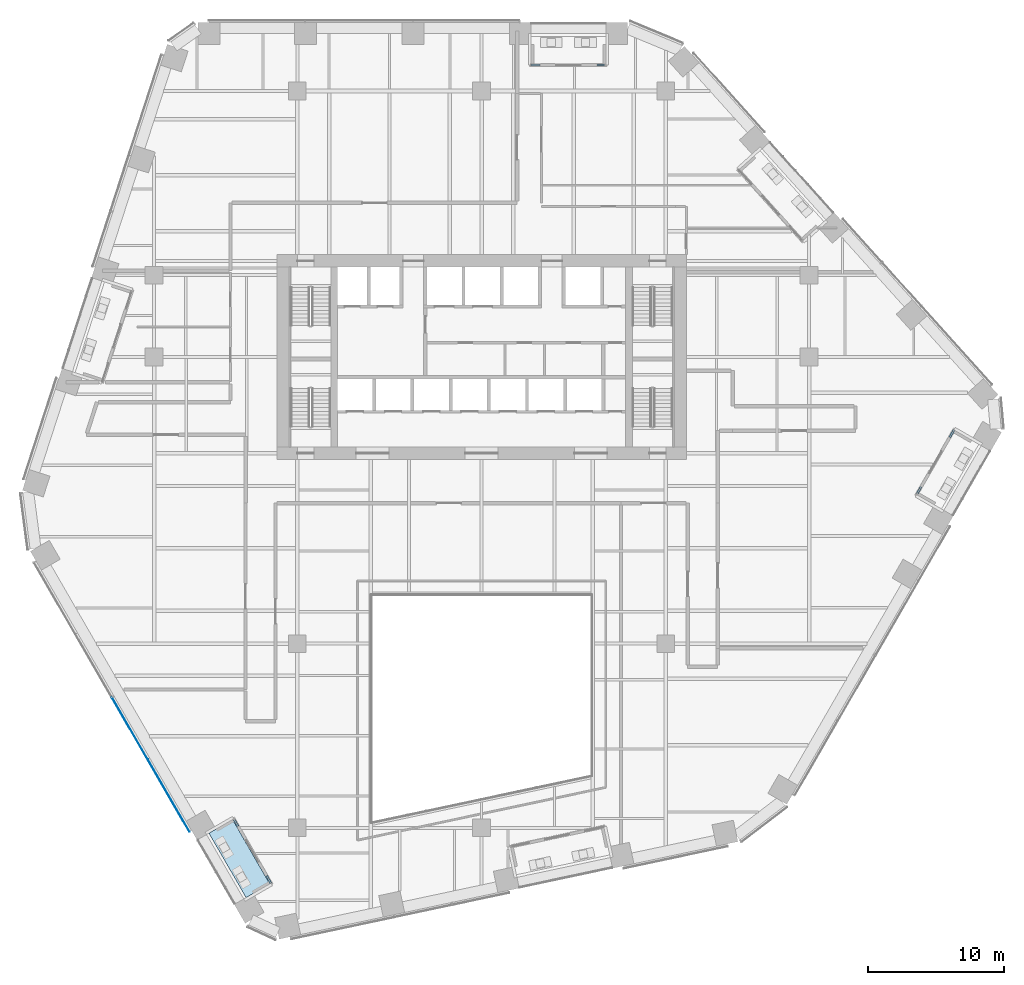
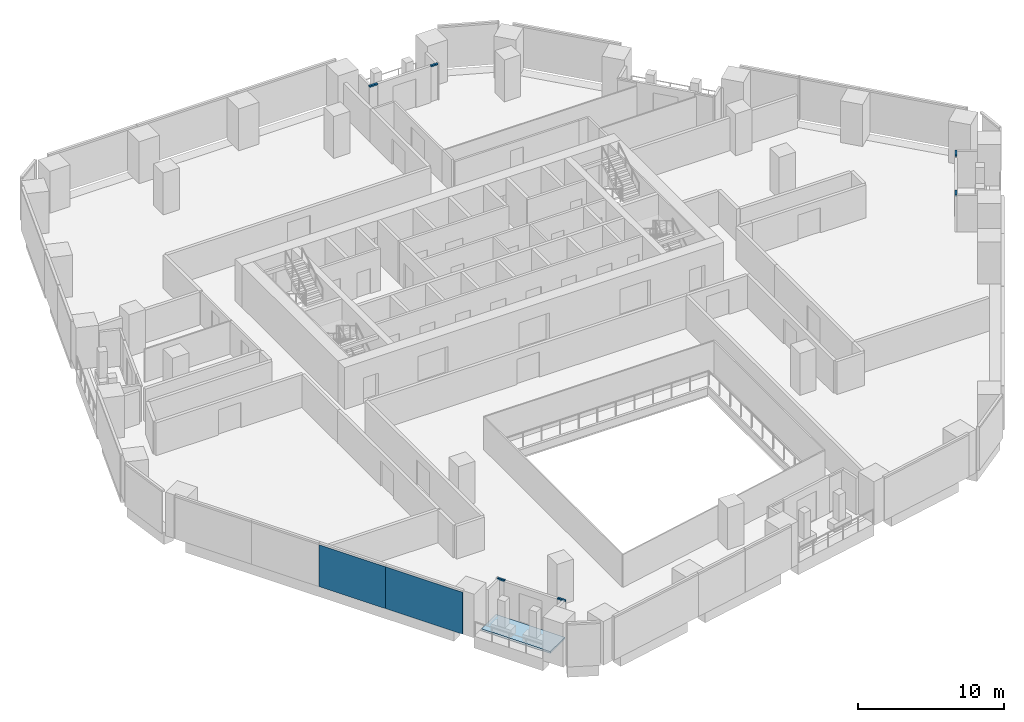
# One storey, part 15 of 28: 6 members, 2 plates, 1 slab, 4 elements without a shape of their own.
"""IFC4 building model written with IfcOpenShell, lengths in metres."""

from ifc_helpers import new_model, si_unit, direction, frame, origin, origin_2d, place, context, subcontext, project, spatial, polyline, rectangle, outline, extrude, material, layer, layer_set, material_profile, profile_set, type_object, element, aggregate, save


model = new_model("IFC4")

# Units and contexts
model_context = context("Model", 3, precision=1e-05, world=origin(), true_north=direction((0.0, 1.0)))
body_context = subcontext(model_context, "Body", "Model", "MODEL_VIEW")
ifc_project = project(units=[si_unit("LENGTHUNIT", "METRE"), si_unit("AREAUNIT", "SQUARE_METRE"), si_unit("VOLUMEUNIT", "CUBIC_METRE"), si_unit("PLANEANGLEUNIT", "RADIAN"), si_unit("MASSUNIT", "GRAM", prefix="KILO")], contexts=[model_context])

# Site, building, storey
site_placement = place(None, origin())
site = spatial("IfcSite", under=ifc_project, at=site_placement, CompositionType="ELEMENT")
building_placement = place(site_placement, origin())
building = spatial("IfcBuilding", under=site, at=building_placement, Name="Isthmus Gate Tower", CompositionType="ELEMENT")
storey_placement = place(building_placement, frame((0.0, 0.0, 84.300048828125)))
storey = spatial("IfcBuildingStorey", under=building, at=storey_placement, Name="L19", CompositionType="ELEMENT", Elevation=84.300048828125)

# Curtain wall, members
ifc_material_1 = material(Name="Aluminium, pale champagne anodised", Category="aluminium")
ifc_layer_1 = layer(ifc_material_1, 0.14990234375)
ifc_layer_set_1 = layer_set([ifc_layer_1], Name="CW-6 LOGGIA BACK WALL GLAZING 150 DEEP")
curtain_wall_type_1 = type_object("IfcCurtainWallType", Name="CW-6 LOGGIA BACK WALL GLAZING 150 DEEP", PredefinedType="NOTDEFINED", material=ifc_layer_set_1)
curtain_wall_1_placement = place(storey_placement, origin())
curtain_wall_1 = element("IfcCurtainWall", 1, at=curtain_wall_1_placement, inside=storey, type_object=curtain_wall_type_1, Name="CW-6 N L19", PredefinedType="NOTDEFINED")
ifc_material_2 = material(Name="Aluminium, pale champagne anodised", Category="aluminium")
ifc_material_profile = material_profile(ifc_material_2, rectangle(XDim=0.14990234375, YDim=0.1201171875, at=origin_2d()), Name="150x120")
ifc_profile_set = profile_set([ifc_material_profile], Name="Aluminium, pale champagne anodised")
member_type = type_object("IfcMemberType", Name="CW-6 TRANSOM 150 X 120", PredefinedType="USERDEFINED", material=ifc_profile_set)
member_1_placement = place(storey_placement, frame((9.041748046875, 28.89990234375, 2.989990234375), z_axis=(-1.0, 0.0, 0.0), x_axis=(0.0, -1.0, 0.0)))
member_1 = element("IfcMember", 2, at=member_1_placement, type_object=member_type, Name="CW-6 transom", ObjectType="TRANSOM", PredefinedType="USERDEFINED", context=body_context, shape_type="SweptSolid", body=[
    extrude(rectangle(XDim=0.14990234375, YDim=0.1201171875, at=origin_2d()), origin(), (0.0, 0.0, 1.0), 0.57470703125),
])
member_2_placement = place(storey_placement, frame((4.26708984375, 28.89990234375, 2.989990234375), z_axis=(-1.0, 0.0, 0.0), x_axis=(0.0, -1.0, 0.0)))
member_2 = element("IfcMember", 3, at=member_2_placement, type_object=member_type, Name="CW-6 transom", ObjectType="TRANSOM", PredefinedType="USERDEFINED", context=body_context, shape_type="SweptSolid", body=[
    extrude(rectangle(XDim=0.14990234375, YDim=0.1201171875, at=origin_2d()), origin(), (0.0, 0.0, 1.0), 0.634765625),
])
aggregate(curtain_wall_1, [member_1, member_2])

curtain_wall_2_placement = place(storey_placement, origin())
curtain_wall_2 = element("IfcCurtainWall", 4, at=curtain_wall_2_placement, inside=storey, type_object=curtain_wall_type_1, Name="CW-6 SW L19", PredefinedType="NOTDEFINED")
member_3_placement = place(storey_placement, frame((-18.1318359375, -26.394775390625, 2.989990234375), z_axis=(0.500111091428, -0.865961255618, 0.0), x_axis=(0.865961255618, 0.500111091428, 0.0)))
member_3 = element("IfcMember", 5, at=member_3_placement, type_object=member_type, Name="CW-6 transom", ObjectType="TRANSOM", PredefinedType="USERDEFINED", context=body_context, shape_type="SweptSolid", body=[
    extrude(rectangle(XDim=0.14990234375, YDim=0.1201171875, at=origin_2d()), origin(), (0.0, 0.0, 1.0), 0.561767578125),
])
member_4_placement = place(storey_placement, frame((-15.7509765625, -30.5185546875, 2.989990234375), z_axis=(0.500107546598, -0.865963302823, 0.0), x_axis=(0.865963302823, 0.500107546598, 0.0)))
member_4 = element("IfcMember", 6, at=member_4_placement, type_object=member_type, Name="CW-6 transom", ObjectType="TRANSOM", PredefinedType="USERDEFINED", context=body_context, shape_type="SweptSolid", body=[
    extrude(rectangle(XDim=0.14990234375, YDim=0.1201171875, at=origin_2d()), origin(), (0.0, 0.0, 1.0), 0.621826171875),
])
aggregate(curtain_wall_2, [member_3, member_4])

curtain_wall_3_placement = place(storey_placement, origin())
curtain_wall_3 = element("IfcCurtainWall", 7, at=curtain_wall_3_placement, inside=storey, type_object=curtain_wall_type_1, Name="CW-6 SE L19", PredefinedType="NOTDEFINED")
member_5_placement = place(storey_placement, frame((31.911376953125, -2.527587890625, 2.989990234375), z_axis=(0.500433297998, 0.865775094499, 0.0), x_axis=(-0.865775094499, 0.500433297998, 0.0)))
member_5 = element("IfcMember", 8, at=member_5_placement, type_object=member_type, Name="CW-6 transom", ObjectType="TRANSOM", PredefinedType="USERDEFINED", context=body_context, shape_type="SweptSolid", body=[
    extrude(rectangle(XDim=0.14990234375, YDim=0.1201171875, at=origin_2d()), origin(), (0.0, 0.0, 1.0), 0.57470703125),
])
member_6_placement = place(storey_placement, frame((34.298828125, 1.607421875, 2.989990234375), z_axis=(0.50011094668, 0.865961339213, 0.0), x_axis=(-0.865961339213, 0.50011094668, 0.0)))
member_6 = element("IfcMember", 9, at=member_6_placement, type_object=member_type, Name="CW-6 transom", ObjectType="TRANSOM", PredefinedType="USERDEFINED", context=body_context, shape_type="SweptSolid", body=[
    extrude(rectangle(XDim=0.14990234375, YDim=0.1201171875, at=origin_2d()), origin(), (0.0, 0.0, 1.0), 0.634521484375),
])
aggregate(curtain_wall_3, [member_5, member_6])

# Curtain wall, plates
ifc_material_3 = material(Name="Aluminium, pale champagne anodised", Category="aluminium")
ifc_layer_2 = layer(ifc_material_3, 0.199951171875)
ifc_layer_set_2 = layer_set([ifc_layer_2], Name="CW-1 UNITISED CURTAIN WALL 200 DEEP")
curtain_wall_type_2 = type_object("IfcCurtainWallType", Name="CW-1 UNITISED CURTAIN WALL 200 DEEP", PredefinedType="NOTDEFINED", material=ifc_layer_set_2)
curtain_wall_4_placement = place(storey_placement, origin())
curtain_wall_4 = element("IfcCurtainWall", 10, at=curtain_wall_4_placement, inside=storey, type_object=curtain_wall_type_2, Name="CW-1 SW L19", PredefinedType="NOTDEFINED")
ifc_material_4 = material(Name="Laminated low-iron glass, pale blue tint", Category="glass")
ifc_layer_3 = layer(ifc_material_4, 0.0400390625)
ifc_layer_set_3 = layer_set([ifc_layer_3], Name="CW-1 CLEAR GLASS LITE 40")
plate_type = type_object("IfcPlateType", Name="CW-1 CLEAR GLASS LITE 40", PredefinedType="CURTAIN_PANEL", material=ifc_layer_set_3)
plate_1_placement = place(storey_placement, frame((-25.768798828125, -19.72705078125, 0.0), z_axis=(0.0, 0.0, 1.0), x_axis=(0.5, -0.866025403784, 0.0)))
plate_1 = element("IfcPlate", 11, at=plate_1_placement, type_object=plate_type, Name="CW-1 glass lite", PredefinedType="CURTAIN_PANEL", context=body_context, shape_type="SweptSolid", body=[
    extrude(rectangle(XDim=5.24853515625, YDim=0.0400390625, at=origin_2d()), origin(), (0.0, 0.0, 1.0), 3.5),
])
plate_2_placement = place(storey_placement, frame((-22.929443359375, -24.644775390625, 0.0), z_axis=(0.0, 0.0, 1.0), x_axis=(0.5, -0.866025403784, 0.0)))
plate_2 = element("IfcPlate", 12, at=plate_2_placement, type_object=plate_type, Name="CW-1 glass lite", PredefinedType="CURTAIN_PANEL", context=body_context, shape_type="SweptSolid", body=[
    extrude(rectangle(XDim=6.108642578125, YDim=0.0400390625, at=origin_2d()), origin(), (0.0, 0.0, 1.0), 3.5),
])
aggregate(curtain_wall_4, [plate_1, plate_2])

# Slab
ifc_material_5 = material(Name="Concrete f'c 50 MPa", Category="concrete")
ifc_layer_4 = layer(ifc_material_5, 0.14990234375)
ifc_layer_set_4 = layer_set([ifc_layer_4], Name="LOGGIA FLOOR SLAB 150")
slab_type = type_object("IfcSlabType", Name="LOGGIA FLOOR SLAB 150", PredefinedType="FLOOR", material=ifc_layer_set_4)
slab_placement = place(storey_placement, frame((0.0, 0.0, -0.150146484375)))
element("IfcSlab", 13, at=slab_placement, inside=storey, type_object=slab_type, Name="LOGGIA FLOOR", PredefinedType="FLOOR", context=body_context, shape_type="SweptSolid", body=[
    extrude(outline(polyline([(-19.98046875, -27.392822265625), (-17.2587890625, -32.107177734375), (-15.526611328125, -31.107177734375), (-18.24853515625, -26.392822265625), (-19.98046875, -27.392822265625)])), origin(), (0.0, 0.0, 1.0), 0.150146484375),
])

save(model, "model.ifc")
